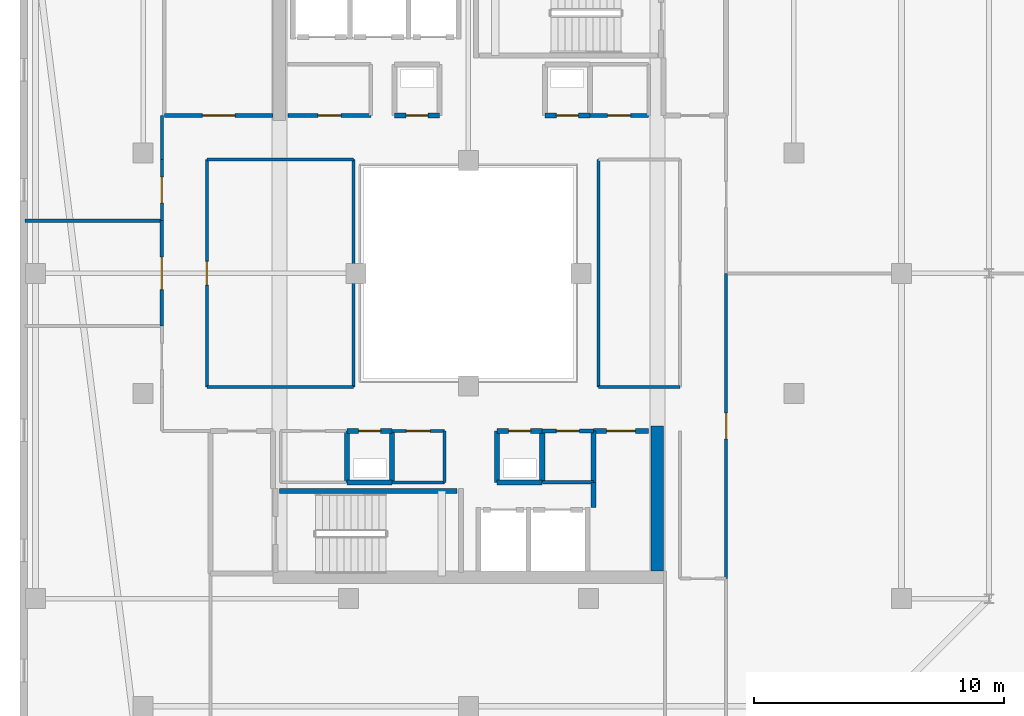
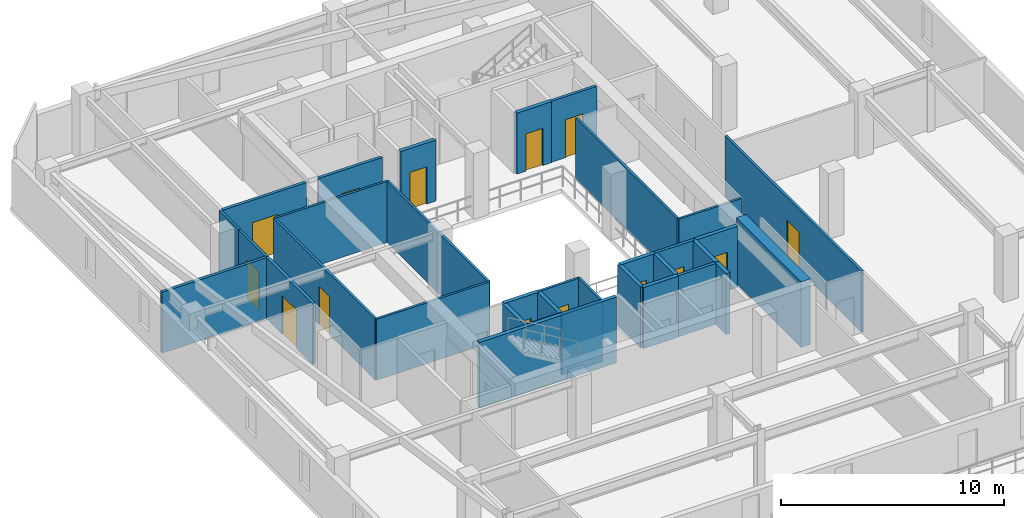
# One storey, part 22 of 34: 34 walls, 14 doors, 14 openings.
"""IFC4 building model written with IfcOpenShell, lengths in metres."""

from ifc_helpers import new_model, si_unit, direction, frame, frame_2d, origin, place, context, subcontext, project, spatial, rectangle, extrude, material, layer, layer_set, type_object, element, fill, save


model = new_model("IFC4")

# Units and contexts
model_context = context("Model", 3, precision=1e-05, world=origin(), true_north=direction((0.0, 1.0)))
body_context = subcontext(model_context, "Body", "Model", "MODEL_VIEW")
ifc_project = project(units=[si_unit("LENGTHUNIT", "METRE"), si_unit("AREAUNIT", "SQUARE_METRE"), si_unit("VOLUMEUNIT", "CUBIC_METRE"), si_unit("PLANEANGLEUNIT", "RADIAN"), si_unit("MASSUNIT", "GRAM", prefix="KILO")], contexts=[model_context])

# Site, building, storey
site_placement = place(None, origin())
site = spatial("IfcSite", under=ifc_project, at=site_placement, CompositionType="ELEMENT")
building_placement = place(site_placement, origin())
building = spatial("IfcBuilding", under=site, at=building_placement, Name="Thornwick Lancets Civic Towers", CompositionType="ELEMENT")
storey_placement = place(building_placement, frame((0.0, 0.0, 261.89990234375)))
storey = spatial("IfcBuildingStorey", under=building, at=storey_placement, Name="L70", CompositionType="ELEMENT", Elevation=261.89990234375)

# Walls
ifc_material_1 = material(Name="Concrete blockwork C40/50", Category="masonry")
ifc_layer_1 = layer(ifc_material_1, 0.199951171875, Name="Concrete blockwork C40/50")
ifc_layer_set_1 = layer_set([ifc_layer_1], Name="Concrete blockwork C40/50")
wall_type_1 = type_object("IfcWallType", Name="WALL_COMP_200", PredefinedType="STANDARD", material=ifc_layer_set_1)
wall_1_placement = place(storey_placement, frame((26.64990234375, 18.64990234375, 0.0), z_axis=(0.0, 0.0, 1.0), x_axis=(1.0, 0.0, 0.0)))
element("IfcWall", 1, at=wall_1_placement, inside=storey, type_object=wall_type_1, Name="L70 Partition L70-A-DUCT1 E1", PredefinedType="STANDARD", context=body_context, shape_type="SweptSolid", body=[
    extrude(rectangle(XDim=1.800048828125, YDim=0.199951171875, at=frame_2d((0.89990234375, 0.0))), origin(), (0.0, 0.0, 1.0), 3.340087890625),
])
wall_2_placement = place(storey_placement, frame((28.449951171875, 18.64990234375, 0.0), z_axis=(0.0, 0.0, 1.0), x_axis=(0.0, 1.0, 0.0)))
element("IfcWall", 2, at=wall_2_placement, inside=storey, type_object=wall_type_1, Name="L70 Partition L70-A-DUCT1 E2", PredefinedType="STANDARD", context=body_context, shape_type="SweptSolid", body=[
    extrude(rectangle(XDim=2.050048828125, YDim=0.199951171875, at=frame_2d((1.02490234375, 0.0))), origin(), (0.0, 0.0, 1.0), 3.340087890625),
])

# Wall, opening, door
wall_3_placement = place(storey_placement, frame((28.449951171875, 20.699951171875, 0.0), z_axis=(0.0, 0.0, 1.0), x_axis=(-1.0, 0.0, 0.0)))
wall_3 = element("IfcWall", 3, at=wall_3_placement, inside=storey, type_object=wall_type_1, Name="L70 Partition L70-A-DUCT1 E3", PredefinedType="STANDARD", context=body_context, shape_type="SweptSolid", body=[
    extrude(rectangle(XDim=1.800048828125, YDim=0.199951171875, at=frame_2d((0.89990234375, 0.0))), origin(), (0.0, 0.0, 1.0), 3.340087890625),
])
opening_1_placement = place(wall_3_placement, frame((0.4599609375, 0.0, 0.0)))
opening_1 = element("IfcOpeningElement", 4, at=opening_1_placement, cuts=wall_3, Name="Opening D-L70-3181", PredefinedType="OPENING", context=body_context, shape_type="SweptSolid", body=[
    extrude(rectangle(XDim=0.8798828125, YDim=2.0400390625, at=frame_2d((0.43994140625, 1.02001953125))), frame((0.0, 0.10986328125, 0.0), z_axis=(0.0, -1.0, 0.0), x_axis=(1.0, 0.0, 0.0)), (0.0, 0.0, 1.0), 0.219970703125),
])
ifc_material_2 = material(Name="Steel riser access doorset", Category="steel")
door_type_1 = type_object("IfcDoorType", Name="DOOR_RISER_850", OperationType="NOTDEFINED", PredefinedType="DOOR", material=ifc_material_2)
door_1_placement = place(opening_1_placement, origin())
door_1 = element("IfcDoor", 5, at=door_1_placement, inside=storey, type_object=door_type_1, Name="L70 South Service Duct 1 Door", OperationType="SINGLE_SWING_RIGHT", OverallHeight=2.0400390625, OverallWidth=0.8798828125, PredefinedType="DOOR", context=body_context, shape_type="SweptSolid", body=[
    extrude(rectangle(XDim=0.8798828125, YDim=2.0400390625, at=frame_2d((0.43994140625, 1.02001953125))), frame((0.0, 0.02490234375, 0.0), z_axis=(0.0, -1.0, 0.0), x_axis=(1.0, 0.0, 0.0)), (0.0, 0.0, 1.0), 0.050048828125),
])
fill(opening_1, door_1)

# Walls
wall_4_placement = place(storey_placement, frame((26.64990234375, 20.699951171875, 0.0), z_axis=(0.0, 0.0, 1.0), x_axis=(0.0, -1.0, 0.0)))
element("IfcWall", 6, at=wall_4_placement, inside=storey, type_object=wall_type_1, Name="L70 Partition L70-A-DUCT1 E4", PredefinedType="STANDARD", context=body_context, shape_type="SweptSolid", body=[
    extrude(rectangle(XDim=2.050048828125, YDim=0.199951171875, at=frame_2d((1.02490234375, 0.0))), origin(), (0.0, 0.0, 1.0), 3.340087890625),
])
wall_5_placement = place(storey_placement, frame((20.64990234375, 18.64990234375, 0.0), z_axis=(0.0, 0.0, 1.0), x_axis=(1.0, 0.0, 0.0)))
element("IfcWall", 7, at=wall_5_placement, inside=storey, type_object=wall_type_1, Name="L70 Partition L70-A-RISER1 E1", PredefinedType="STANDARD", context=body_context, shape_type="SweptSolid", body=[
    extrude(rectangle(XDim=1.800048828125, YDim=0.199951171875, at=frame_2d((0.89990234375, 0.0))), origin(), (0.0, 0.0, 1.0), 3.340087890625),
])
wall_6_placement = place(storey_placement, frame((22.449951171875, 18.64990234375, 0.0), z_axis=(0.0, 0.0, 1.0), x_axis=(0.0, 1.0, 0.0)))
element("IfcWall", 8, at=wall_6_placement, inside=storey, type_object=wall_type_1, Name="L70 Partition L70-A-RISER1 E2", PredefinedType="STANDARD", context=body_context, shape_type="SweptSolid", body=[
    extrude(rectangle(XDim=2.050048828125, YDim=0.199951171875, at=frame_2d((1.02490234375, 0.0))), origin(), (0.0, 0.0, 1.0), 3.340087890625),
])

# Wall, opening, door
wall_7_placement = place(storey_placement, frame((22.449951171875, 20.699951171875, 0.0), z_axis=(0.0, 0.0, 1.0), x_axis=(-1.0, 0.0, 0.0)))
wall_7 = element("IfcWall", 9, at=wall_7_placement, inside=storey, type_object=wall_type_1, Name="L70 Partition L70-A-RISER1 E3", PredefinedType="STANDARD", context=body_context, shape_type="SweptSolid", body=[
    extrude(rectangle(XDim=1.800048828125, YDim=0.199951171875, at=frame_2d((0.89990234375, 0.0))), origin(), (0.0, 0.0, 1.0), 3.340087890625),
])
opening_2_placement = place(wall_7_placement, frame((0.4599609375, 0.0, 0.0)))
opening_2 = element("IfcOpeningElement", 10, at=opening_2_placement, cuts=wall_7, Name="Opening D-L70-3182", PredefinedType="OPENING", context=body_context, shape_type="SweptSolid", body=[
    extrude(rectangle(XDim=0.8798828125, YDim=2.0400390625, at=frame_2d((0.43994140625, 1.02001953125))), frame((0.0, 0.10986328125, 0.0), z_axis=(0.0, -1.0, 0.0), x_axis=(1.0, 0.0, 0.0)), (0.0, 0.0, 1.0), 0.219970703125),
])
door_2_placement = place(opening_2_placement, origin())
door_2 = element("IfcDoor", 11, at=door_2_placement, inside=storey, type_object=door_type_1, Name="L70 South Electrical Riser 1 Door", OperationType="SINGLE_SWING_LEFT", OverallHeight=2.0400390625, OverallWidth=0.8798828125, PredefinedType="DOOR", context=body_context, shape_type="SweptSolid", body=[
    extrude(rectangle(XDim=0.8798828125, YDim=2.0400390625, at=frame_2d((0.43994140625, 1.02001953125))), frame((0.0, 0.02490234375, 0.0), z_axis=(0.0, -1.0, 0.0), x_axis=(1.0, 0.0, 0.0)), (0.0, 0.0, 1.0), 0.050048828125),
])
fill(opening_2, door_2)

# Wall
wall_8_placement = place(storey_placement, frame((20.64990234375, 20.699951171875, 0.0), z_axis=(0.0, 0.0, 1.0), x_axis=(0.0, -1.0, 0.0)))
element("IfcWall", 12, at=wall_8_placement, inside=storey, type_object=wall_type_1, Name="L70 Partition L70-A-RISER1 E4", PredefinedType="STANDARD", context=body_context, shape_type="SweptSolid", body=[
    extrude(rectangle(XDim=2.050048828125, YDim=0.199951171875, at=frame_2d((1.02490234375, 0.0))), origin(), (0.0, 0.0, 1.0), 3.340087890625),
])

# Wall, opening, door
wall_9_placement = place(storey_placement, frame((22.550048828125, 33.300048828125, 0.0), z_axis=(0.0, 0.0, 1.0), x_axis=(1.0, 0.0, 0.0)))
wall_9 = element("IfcWall", 13, at=wall_9_placement, inside=storey, type_object=wall_type_1, Name="L70 Partition L70-A-DUCT2 E1", PredefinedType="STANDARD", context=body_context, shape_type="SweptSolid", body=[
    extrude(rectangle(XDim=1.800048828125, YDim=0.199951171875, at=frame_2d((0.89990234375, 0.0))), origin(), (0.0, 0.0, 1.0), 3.340087890625),
])
opening_3_placement = place(wall_9_placement, frame((0.4599609375, 0.0, 0.0)))
opening_3 = element("IfcOpeningElement", 14, at=opening_3_placement, cuts=wall_9, Name="Opening D-L70-3183", PredefinedType="OPENING", context=body_context, shape_type="SweptSolid", body=[
    extrude(rectangle(XDim=0.8798828125, YDim=2.0400390625, at=frame_2d((0.43994140625, 1.02001953125))), frame((0.0, 0.10986328125, 0.0), z_axis=(0.0, -1.0, 0.0), x_axis=(1.0, 0.0, 0.0)), (0.0, 0.0, 1.0), 0.219970703125),
])
door_3_placement = place(opening_3_placement, origin())
door_3 = element("IfcDoor", 15, at=door_3_placement, inside=storey, type_object=door_type_1, Name="L70 North Service Duct 2 Door", OperationType="SINGLE_SWING_RIGHT", OverallHeight=2.0400390625, OverallWidth=0.8798828125, PredefinedType="DOOR", context=body_context, shape_type="SweptSolid", body=[
    extrude(rectangle(XDim=0.8798828125, YDim=2.0400390625, at=frame_2d((0.43994140625, 1.02001953125))), frame((0.0, 0.02490234375, 0.0), z_axis=(0.0, -1.0, 0.0), x_axis=(1.0, 0.0, 0.0)), (0.0, 0.0, 1.0), 0.050048828125),
])
fill(opening_3, door_3)

wall_10_placement = place(storey_placement, frame((28.550048828125, 33.300048828125, 0.0), z_axis=(0.0, 0.0, 1.0), x_axis=(1.0, 0.0, 0.0)))
wall_10 = element("IfcWall", 16, at=wall_10_placement, inside=storey, type_object=wall_type_1, Name="L70 Partition L70-A-RISER2 E1", PredefinedType="STANDARD", context=body_context, shape_type="SweptSolid", body=[
    extrude(rectangle(XDim=1.800048828125, YDim=0.199951171875, at=frame_2d((0.89990234375, 0.0))), origin(), (0.0, 0.0, 1.0), 3.340087890625),
])
opening_4_placement = place(wall_10_placement, frame((0.4599609375, 0.0, 0.0)))
opening_4 = element("IfcOpeningElement", 17, at=opening_4_placement, cuts=wall_10, Name="Opening D-L70-3184", PredefinedType="OPENING", context=body_context, shape_type="SweptSolid", body=[
    extrude(rectangle(XDim=0.8798828125, YDim=2.0400390625, at=frame_2d((0.43994140625, 1.02001953125))), frame((0.0, 0.10986328125, 0.0), z_axis=(0.0, -1.0, 0.0), x_axis=(1.0, 0.0, 0.0)), (0.0, 0.0, 1.0), 0.219970703125),
])
door_4_placement = place(opening_4_placement, origin())
door_4 = element("IfcDoor", 18, at=door_4_placement, inside=storey, type_object=door_type_1, Name="L70 North Service Riser 2 Door", OperationType="SINGLE_SWING_LEFT", OverallHeight=2.0400390625, OverallWidth=0.8798828125, PredefinedType="DOOR", context=body_context, shape_type="SweptSolid", body=[
    extrude(rectangle(XDim=0.8798828125, YDim=2.0400390625, at=frame_2d((0.43994140625, 1.02001953125))), frame((0.0, 0.02490234375, 0.0), z_axis=(0.0, -1.0, 0.0), x_axis=(1.0, 0.0, 0.0)), (0.0, 0.0, 1.0), 0.050048828125),
])
fill(opening_4, door_4)

# Walls
wall_11_placement = place(storey_placement, frame((30.5, 17.64794921875, 0.0), z_axis=(0.0, 0.0, 1.0), x_axis=(0.0, 1.0, 0.0)))
element("IfcWall", 19, at=wall_11_placement, inside=storey, type_object=wall_type_1, Name="L70 Partition L70-A-STR2 E3", PredefinedType="STANDARD", context=body_context, shape_type="SweptSolid", body=[
    extrude(rectangle(XDim=1.001953125, YDim=0.199951171875, at=frame_2d((0.5009765625, 0.0))), origin(), (0.0, 0.0, 1.0), 3.340087890625),
])
wall_12_placement = place(storey_placement, frame((30.5, 18.64990234375, 0.0), z_axis=(0.0, 0.0, 1.0), x_axis=(0.0, 1.0, 0.0)))
element("IfcWall", 20, at=wall_12_placement, inside=storey, type_object=wall_type_1, Name="L70 Partition L70-A-STR2 E4", PredefinedType="STANDARD", context=body_context, shape_type="SweptSolid", body=[
    extrude(rectangle(XDim=2.050048828125, YDim=0.199951171875, at=frame_2d((1.02490234375, 0.0))), origin(), (0.0, 0.0, 1.0), 3.340087890625),
])

# Wall, opening, door
wall_13_placement = place(storey_placement, frame((30.5, 20.699951171875, 0.0), z_axis=(0.0, 0.0, 1.0), x_axis=(1.0, 0.0, 0.0)))
wall_13 = element("IfcWall", 21, at=wall_13_placement, inside=storey, type_object=wall_type_1, Name="L70 Partition L70-A-STR2 E5", PredefinedType="STANDARD", context=body_context, shape_type="SweptSolid", body=[
    extrude(rectangle(XDim=2.199951171875, YDim=0.199951171875, at=frame_2d((1.10009765625, 0.0))), origin(), (0.0, 0.0, 1.0), 3.340087890625),
])
opening_5_placement = place(wall_13_placement, frame((0.52490234375, 0.0, 0.0)))
opening_5 = element("IfcOpeningElement", 22, at=opening_5_placement, cuts=wall_13, Name="Opening D-L70-3188", PredefinedType="OPENING", context=body_context, shape_type="SweptSolid", body=[
    extrude(rectangle(XDim=1.14990234375, YDim=2.10009765625, at=frame_2d((0.574951171875, 1.050048828125))), frame((0.0, 0.10986328125, 0.0), z_axis=(0.0, -1.0, 0.0), x_axis=(1.0, 0.0, 0.0)), (0.0, 0.0, 1.0), 0.219970703125),
])
ifc_material_3 = material(Name="Glazed fire-resisting steel", Category="steel")
door_type_2 = type_object("IfcDoorType", Name="DOOR_LOBBY_FD60", OperationType="NOTDEFINED", PredefinedType="DOOR", material=ifc_material_3)
door_5_placement = place(opening_5_placement, origin())
door_5 = element("IfcDoor", 23, at=door_5_placement, inside=storey, type_object=door_type_2, Name="L70 Tower A Core Supplies Store Door", OperationType="SINGLE_SWING_LEFT", OverallHeight=2.10009765625, OverallWidth=1.14990234375, PredefinedType="DOOR", context=body_context, shape_type="SweptSolid", body=[
    extrude(rectangle(XDim=1.14990234375, YDim=2.10009765625, at=frame_2d((0.574951171875, 1.050048828125))), frame((0.0, 0.02490234375, 0.0), z_axis=(0.0, -1.0, 0.0), x_axis=(1.0, 0.0, 0.0)), (0.0, 0.0, 1.0), 0.050048828125),
])
fill(opening_5, door_5)

# Walls
ifc_material_4 = material(Name="Concrete C50/60", Category="concrete")
ifc_layer_2 = layer(ifc_material_4, 0.5, Name="Concrete C50/60")
ifc_layer_set_2 = layer_set([ifc_layer_2], Name="Concrete C50/60")
wall_type_2 = type_object("IfcWallType", Name="WALL_CORE_500", PredefinedType="SHEAR", material=ifc_layer_set_2)
wall_14_placement = place(storey_placement, frame((33.050048828125, 15.10009765625, 0.0), z_axis=(0.0, 0.0, 1.0), x_axis=(0.0, 1.0, 0.0)))
element("IfcWall", 24, at=wall_14_placement, inside=storey, type_object=wall_type_2, Name="L70 Split Core A1 Shear Wall E", PredefinedType="SHEAR", context=body_context, shape_type="SweptSolid", body=[
    extrude(rectangle(XDim=5.7998046875, YDim=0.5, at=frame_2d((2.89990234375, 0.0))), origin(), (0.0, 0.0, 1.0), 3.60009765625),
])
ifc_material_5 = material(Name="Acoustic gypsum board partition")
ifc_layer_3 = layer(ifc_material_5, 0.1201171875, Name="Acoustic gypsum board partition")
ifc_layer_set_3 = layer_set([ifc_layer_3], Name="Acoustic gypsum board partition")
wall_type_3 = type_object("IfcWallType", Name="WALL_PART_120", PredefinedType="PARTITIONING", material=ifc_layer_set_3)
wall_15_placement = place(storey_placement, frame((24.550048828125, 20.699951171875, 0.0), z_axis=(0.0, 0.0, 1.0), x_axis=(0.0, -1.0, 0.0)))
element("IfcWall", 25, at=wall_15_placement, inside=storey, type_object=wall_type_3, Name="L70 Partition L70-A-ITR E1", PredefinedType="PARTITIONING", context=body_context, shape_type="SweptSolid", body=[
    extrude(rectangle(XDim=2.050048828125, YDim=0.1201171875, at=frame_2d((1.02490234375, 0.0))), origin(), (0.0, 0.0, 1.0), 3.340087890625),
])
wall_16_placement = place(storey_placement, frame((24.550048828125, 18.64990234375, 0.0), z_axis=(0.0, 0.0, 1.0), x_axis=(-1.0, 0.0, 0.0)))
element("IfcWall", 26, at=wall_16_placement, inside=storey, type_object=wall_type_3, Name="L70 Partition L70-A-ITR E2", PredefinedType="PARTITIONING", context=body_context, shape_type="SweptSolid", body=[
    extrude(rectangle(XDim=2.10009765625, YDim=0.1201171875, at=frame_2d((1.050048828125, 0.0))), origin(), (0.0, 0.0, 1.0), 3.340087890625),
])

# Wall, opening, door
wall_17_placement = place(storey_placement, frame((22.449951171875, 20.699951171875, 0.0), z_axis=(0.0, 0.0, 1.0), x_axis=(1.0, 0.0, 0.0)))
wall_17 = element("IfcWall", 27, at=wall_17_placement, inside=storey, type_object=wall_type_3, Name="L70 Partition L70-A-ITR E4", PredefinedType="PARTITIONING", context=body_context, shape_type="SweptSolid", body=[
    extrude(rectangle(XDim=2.10009765625, YDim=0.1201171875, at=frame_2d((1.050048828125, 0.0))), origin(), (0.0, 0.0, 1.0), 3.340087890625),
])
opening_6_placement = place(wall_17_placement, frame((0.574951171875, 0.0, 0.0)))
opening_6 = element("IfcOpeningElement", 28, at=opening_6_placement, cuts=wall_17, Name="Opening D-L70-3186", PredefinedType="OPENING", context=body_context, shape_type="SweptSolid", body=[
    extrude(rectangle(XDim=0.949951171875, YDim=2.10009765625, at=frame_2d((0.47509765625, 1.050048828125))), frame((0.0, 0.070068359375, 0.0), z_axis=(0.0, -1.0, 0.0), x_axis=(1.0, 0.0, 0.0)), (0.0, 0.0, 1.0), 0.14013671875),
])
ifc_material_6 = material(Name="European oak acoustic doorset")
door_type_3 = type_object("IfcDoorType", Name="DOOR_OFFICE_950", OperationType="NOTDEFINED", PredefinedType="DOOR", material=ifc_material_6)
door_6_placement = place(opening_6_placement, origin())
door_6 = element("IfcDoor", 29, at=door_6_placement, inside=storey, type_object=door_type_3, Name="L70 Tower A Comms Patch Room Door", OperationType="SINGLE_SWING_LEFT", OverallHeight=2.10009765625, OverallWidth=0.949951171875, PredefinedType="DOOR", context=body_context, shape_type="SweptSolid", body=[
    extrude(rectangle(XDim=0.949951171875, YDim=2.10009765625, at=frame_2d((0.47509765625, 1.050048828125))), frame((0.0, 0.02490234375, 0.0), z_axis=(0.0, -1.0, 0.0), x_axis=(1.0, 0.0, 0.0)), (0.0, 0.0, 1.0), 0.050048828125),
])
fill(opening_6, door_6)

# Wall
wall_18_placement = place(storey_placement, frame((13.25, 33.300048828125, 0.0), z_axis=(0.0, 0.0, 1.0), x_axis=(0.0, -1.0, 0.0)))
element("IfcWall", 30, at=wall_18_placement, inside=storey, type_object=wall_type_3, Name="L70 Partition L70-A-W2B E5", PredefinedType="PARTITIONING", context=body_context, shape_type="SweptSolid", body=[
    extrude(rectangle(XDim=1.75, YDim=0.1201171875, at=frame_2d((0.875, 0.0))), origin(), (0.0, 0.0, 1.0), 3.340087890625),
])

# Wall, opening, door
wall_19_placement = place(storey_placement, frame((13.25, 31.550048828125, 0.0), z_axis=(0.0, 0.0, 1.0), x_axis=(0.0, -1.0, 0.0)))
wall_19 = element("IfcWall", 31, at=wall_19_placement, inside=storey, type_object=wall_type_3, Name="L70 Partition L70-A-W2B E6", PredefinedType="PARTITIONING", context=body_context, shape_type="SweptSolid", body=[
    extrude(rectangle(XDim=2.449951171875, YDim=0.1201171875, at=frame_2d((1.22509765625, 0.0))), origin(), (0.0, 0.0, 1.0), 3.340087890625),
])
opening_7_placement = place(wall_19_placement, frame((0.699951171875, 0.0, 0.0)))
opening_7 = element("IfcOpeningElement", 32, at=opening_7_placement, cuts=wall_19, Name="Opening D-L70-3207", PredefinedType="OPENING", context=body_context, shape_type="SweptSolid", body=[
    extrude(rectangle(XDim=1.050048828125, YDim=2.10009765625, at=frame_2d((0.52490234375, 1.050048828125))), frame((0.0, 0.070068359375, 0.0), z_axis=(0.0, -1.0, 0.0), x_axis=(1.0, 0.0, 0.0)), (0.0, 0.0, 1.0), 0.14013671875),
])
ifc_material_7 = material(Name="Glazed European oak executive doorset")
door_type_4 = type_object("IfcDoorType", Name="DOOR_OFFICE_1050", OperationType="NOTDEFINED", PredefinedType="DOOR", material=ifc_material_7)
door_7_placement = place(opening_7_placement, origin())
door_7 = element("IfcDoor", 33, at=door_7_placement, inside=storey, type_object=door_type_4, Name="L70 Tower A Parliamentary Casework Suite W2B Door", OperationType="SINGLE_SWING_RIGHT", OverallHeight=2.10009765625, OverallWidth=1.050048828125, PredefinedType="DOOR", context=body_context, shape_type="SweptSolid", body=[
    extrude(rectangle(XDim=1.050048828125, YDim=2.10009765625, at=frame_2d((0.52490234375, 1.050048828125))), frame((0.0, 0.02490234375, 0.0), z_axis=(0.0, -1.0, 0.0), x_axis=(1.0, 0.0, 0.0)), (0.0, 0.0, 1.0), 0.050048828125),
])
fill(opening_7, door_7)

wall_20_placement = place(storey_placement, frame((15.050048828125, 22.449951171875, 0.0), z_axis=(0.0, 0.0, 1.0), x_axis=(0.0, 1.0, 0.0)))
wall_20 = element("IfcWall", 34, at=wall_20_placement, inside=storey, type_object=wall_type_3, Name="L70 Partition L70-A-W3 E1", PredefinedType="PARTITIONING", context=body_context, shape_type="SweptSolid", body=[
    extrude(rectangle(XDim=9.10009765625, YDim=0.1201171875, at=frame_2d((4.550048828125, 0.0))), origin(), (0.0, 0.0, 1.0), 3.340087890625),
])
opening_8_placement = place(wall_20_placement, frame((4.074951171875, 0.0, 0.0)))
opening_8 = element("IfcOpeningElement", 35, at=opening_8_placement, cuts=wall_20, Name="Opening D-L70-3208", PredefinedType="OPENING", context=body_context, shape_type="SweptSolid", body=[
    extrude(rectangle(XDim=0.949951171875, YDim=2.10009765625, at=frame_2d((0.47509765625, 1.050048828125))), frame((0.0, 0.070068359375, 0.0), z_axis=(0.0, -1.0, 0.0), x_axis=(1.0, 0.0, 0.0)), (0.0, 0.0, 1.0), 0.14013671875),
])
door_8_placement = place(opening_8_placement, origin())
door_8 = element("IfcDoor", 36, at=door_8_placement, inside=storey, type_object=door_type_3, Name="L70 Tower A West Atrium Gallery Suite Door", OperationType="SINGLE_SWING_LEFT", OverallHeight=2.10009765625, OverallWidth=0.949951171875, PredefinedType="DOOR", context=body_context, shape_type="SweptSolid", body=[
    extrude(rectangle(XDim=0.949951171875, YDim=2.10009765625, at=frame_2d((0.47509765625, 1.050048828125))), frame((0.0, 0.02490234375, 0.0), z_axis=(0.0, -1.0, 0.0), x_axis=(1.0, 0.0, 0.0)), (0.0, 0.0, 1.0), 0.050048828125),
])
fill(opening_8, door_8)

# Walls
wall_21_placement = place(storey_placement, frame((15.050048828125, 31.550048828125, 0.0), z_axis=(0.0, 0.0, 1.0), x_axis=(1.0, 0.0, 0.0)))
element("IfcWall", 37, at=wall_21_placement, inside=storey, type_object=wall_type_3, Name="L70 Partition L70-A-W3 E2", PredefinedType="PARTITIONING", context=body_context, shape_type="SweptSolid", body=[
    extrude(rectangle(XDim=5.849853515625, YDim=0.1201171875, at=frame_2d((2.9248046875, 0.0))), origin(), (0.0, 0.0, 1.0), 3.340087890625),
])
wall_22_placement = place(storey_placement, frame((20.89990234375, 31.550048828125, 0.0), z_axis=(0.0, 0.0, 1.0), x_axis=(0.0, -1.0, 0.0)))
element("IfcWall", 38, at=wall_22_placement, inside=storey, type_object=wall_type_3, Name="L70 Partition L70-A-W3 E3", PredefinedType="PARTITIONING", context=body_context, shape_type="SweptSolid", body=[
    extrude(rectangle(XDim=9.10009765625, YDim=0.1201171875, at=frame_2d((4.550048828125, 0.0))), origin(), (0.0, 0.0, 1.0), 3.340087890625),
])
wall_23_placement = place(storey_placement, frame((20.89990234375, 22.449951171875, 0.0), z_axis=(0.0, 0.0, 1.0), x_axis=(-1.0, 0.0, 0.0)))
element("IfcWall", 39, at=wall_23_placement, inside=storey, type_object=wall_type_3, Name="L70 Partition L70-A-W3 E4", PredefinedType="PARTITIONING", context=body_context, shape_type="SweptSolid", body=[
    extrude(rectangle(XDim=5.849853515625, YDim=0.1201171875, at=frame_2d((2.9248046875, 0.0))), origin(), (0.0, 0.0, 1.0), 3.340087890625),
])

# Wall, opening, door
wall_24_placement = place(storey_placement, frame((35.800048828125, 14.800048828125, 0.0), z_axis=(0.0, 0.0, 1.0), x_axis=(0.0, 1.0, 0.0)))
wall_24 = element("IfcWall", 40, at=wall_24_placement, inside=storey, type_object=wall_type_3, Name="L70 Partition L70-A-E1 E3", PredefinedType="PARTITIONING", context=body_context, shape_type="SweptSolid", body=[
    extrude(rectangle(XDim=12.199951171875, YDim=0.1201171875, at=frame_2d((6.10009765625, 0.0))), origin(), (0.0, 0.0, 1.0), 3.340087890625),
])
opening_9_placement = place(wall_24_placement, frame((5.574951171875, 0.0, 0.0)))
opening_9 = element("IfcOpeningElement", 41, at=opening_9_placement, cuts=wall_24, Name="Opening D-L70-3209", PredefinedType="OPENING", context=body_context, shape_type="SweptSolid", body=[
    extrude(rectangle(XDim=1.050048828125, YDim=2.10009765625, at=frame_2d((0.52490234375, 1.050048828125))), frame((0.0, 0.070068359375, 0.0), z_axis=(0.0, -1.0, 0.0), x_axis=(1.0, 0.0, 0.0)), (0.0, 0.0, 1.0), 0.14013671875),
])
door_9_placement = place(opening_9_placement, origin())
door_9 = element("IfcDoor", 42, at=door_9_placement, inside=storey, type_object=door_type_4, Name="L70 Tower A Secretariat Open Office E1 Door", OperationType="SINGLE_SWING_RIGHT", OverallHeight=2.10009765625, OverallWidth=1.050048828125, PredefinedType="DOOR", context=body_context, shape_type="SweptSolid", body=[
    extrude(rectangle(XDim=1.050048828125, YDim=2.10009765625, at=frame_2d((0.52490234375, 1.050048828125))), frame((0.0, 0.02490234375, 0.0), z_axis=(0.0, -1.0, 0.0), x_axis=(1.0, 0.0, 0.0)), (0.0, 0.0, 1.0), 0.050048828125),
])
fill(opening_9, door_9)

# Walls
wall_25_placement = place(storey_placement, frame((30.699951171875, 22.449951171875, 0.0), z_axis=(0.0, 0.0, 1.0), x_axis=(0.0, 1.0, 0.0)))
element("IfcWall", 43, at=wall_25_placement, inside=storey, type_object=wall_type_3, Name="L70 Partition L70-A-E-ATRIUM-OFF E1", PredefinedType="PARTITIONING", context=body_context, shape_type="SweptSolid", body=[
    extrude(rectangle(XDim=9.10009765625, YDim=0.1201171875, at=frame_2d((4.550048828125, 0.0))), origin(), (0.0, 0.0, 1.0), 3.340087890625),
])
wall_26_placement = place(storey_placement, frame((33.949951171875, 22.449951171875, 0.0), z_axis=(0.0, 0.0, 1.0), x_axis=(-1.0, 0.0, 0.0)))
element("IfcWall", 44, at=wall_26_placement, inside=storey, type_object=wall_type_3, Name="L70 Partition L70-A-E-ATRIUM-OFF E4", PredefinedType="PARTITIONING", context=body_context, shape_type="SweptSolid", body=[
    extrude(rectangle(XDim=3.25, YDim=0.1201171875, at=frame_2d((1.625, 0.0))), origin(), (0.0, 0.0, 1.0), 3.340087890625),
])
ifc_material_8 = material(Name="Twin-stud acoustic gypsum board")
ifc_layer_4 = layer(ifc_material_8, 0.14990234375, Name="Twin-stud acoustic gypsum board")
ifc_layer_set_4 = layer_set([ifc_layer_4], Name="Twin-stud acoustic gypsum board")
wall_type_4 = type_object("IfcWallType", Name="WALL_PART_150", PredefinedType="PARTITIONING", material=ifc_layer_set_4)
wall_27_placement = place(storey_placement, frame((30.5, 18.64990234375, 0.0), z_axis=(0.0, 0.0, 1.0), x_axis=(-1.0, 0.0, 0.0)))
element("IfcWall", 45, at=wall_27_placement, inside=storey, type_object=wall_type_4, Name="L70 Partition L70-A-AWC E2", PredefinedType="PARTITIONING", context=body_context, shape_type="SweptSolid", body=[
    extrude(rectangle(XDim=2.050048828125, YDim=0.14990234375, at=frame_2d((1.02490234375, 0.0))), origin(), (0.0, 0.0, 1.0), 3.340087890625),
])

# Wall, opening, door
wall_28_placement = place(storey_placement, frame((28.449951171875, 20.699951171875, 0.0), z_axis=(0.0, 0.0, 1.0), x_axis=(1.0, 0.0, 0.0)))
wall_28 = element("IfcWall", 46, at=wall_28_placement, inside=storey, type_object=wall_type_4, Name="L70 Partition L70-A-AWC E4", PredefinedType="PARTITIONING", context=body_context, shape_type="SweptSolid", body=[
    extrude(rectangle(XDim=2.050048828125, YDim=0.14990234375, at=frame_2d((1.02490234375, 0.0))), origin(), (0.0, 0.0, 1.0), 3.340087890625),
])
opening_10_placement = place(wall_28_placement, frame((0.56494140625, 0.0, 0.0)))
opening_10 = element("IfcOpeningElement", 47, at=opening_10_placement, cuts=wall_28, Name="Opening D-L70-3187", PredefinedType="OPENING", context=body_context, shape_type="SweptSolid", body=[
    extrude(rectangle(XDim=0.919921875, YDim=2.080078125, at=frame_2d((0.4599609375, 1.0400390625))), frame((0.0, 0.0849609375, 0.0), z_axis=(0.0, -1.0, 0.0), x_axis=(1.0, 0.0, 0.0)), (0.0, 0.0, 1.0), 0.169921875),
])
ifc_material_9 = material(Name="Moisture-resistant oak doorset")
door_type_5 = type_object("IfcDoorType", Name="DOOR_WC_900", OperationType="NOTDEFINED", PredefinedType="DOOR", material=ifc_material_9)
door_10_placement = place(opening_10_placement, origin())
door_10 = element("IfcDoor", 48, at=door_10_placement, inside=storey, type_object=door_type_5, Name="L70 Tower A Accessible WC Door", OperationType="SINGLE_SWING_RIGHT", OverallHeight=2.080078125, OverallWidth=0.919921875, PredefinedType="DOOR", context=body_context, shape_type="SweptSolid", body=[
    extrude(rectangle(XDim=0.919921875, YDim=2.080078125, at=frame_2d((0.4599609375, 1.0400390625))), frame((0.0, 0.02490234375, 0.0), z_axis=(0.0, -1.0, 0.0), x_axis=(1.0, 0.0, 0.0)), (0.0, 0.0, 1.0), 0.050048828125),
])
fill(opening_10, door_10)

wall_29_placement = place(storey_placement, frame((18.300048828125, 33.300048828125, 0.0), z_axis=(0.0, 0.0, 1.0), x_axis=(1.0, 0.0, 0.0)))
wall_29 = element("IfcWall", 49, at=wall_29_placement, inside=storey, type_object=wall_type_4, Name="L70 Partition L70-A-MWC E1", PredefinedType="PARTITIONING", context=body_context, shape_type="SweptSolid", body=[
    extrude(rectangle(XDim=3.300048828125, YDim=0.14990234375, at=frame_2d((1.64990234375, 0.0))), origin(), (0.0, 0.0, 1.0), 3.340087890625),
])
opening_11_placement = place(wall_29_placement, frame((1.18994140625, 0.0, 0.0)))
opening_11 = element("IfcOpeningElement", 50, at=opening_11_placement, cuts=wall_29, Name="Opening D-L70-3189", PredefinedType="OPENING", context=body_context, shape_type="SweptSolid", body=[
    extrude(rectangle(XDim=0.919921875, YDim=2.080078125, at=frame_2d((0.4599609375, 1.0400390625))), frame((0.0, 0.0849609375, 0.0), z_axis=(0.0, -1.0, 0.0), x_axis=(1.0, 0.0, 0.0)), (0.0, 0.0, 1.0), 0.169921875),
])
door_11_placement = place(opening_11_placement, origin())
door_11 = element("IfcDoor", 51, at=door_11_placement, inside=storey, type_object=door_type_5, Name="L70 Tower A Male WC Door", OperationType="SINGLE_SWING_RIGHT", OverallHeight=2.080078125, OverallWidth=0.919921875, PredefinedType="DOOR", context=body_context, shape_type="SweptSolid", body=[
    extrude(rectangle(XDim=0.919921875, YDim=2.080078125, at=frame_2d((0.4599609375, 1.0400390625))), frame((0.0, 0.02490234375, 0.0), z_axis=(0.0, -1.0, 0.0), x_axis=(1.0, 0.0, 0.0)), (0.0, 0.0, 1.0), 0.050048828125),
])
fill(opening_11, door_11)

wall_30_placement = place(storey_placement, frame((32.699951171875, 33.300048828125, 0.0), z_axis=(0.0, 0.0, 1.0), x_axis=(-1.0, 0.0, 0.0)))
wall_30 = element("IfcWall", 52, at=wall_30_placement, inside=storey, type_object=wall_type_4, Name="L70 Partition L70-A-FWC E2", PredefinedType="PARTITIONING", context=body_context, shape_type="SweptSolid", body=[
    extrude(rectangle(XDim=2.349853515625, YDim=0.14990234375, at=frame_2d((1.1748046875, 0.0))), origin(), (0.0, 0.0, 1.0), 3.340087890625),
])
opening_12_placement = place(wall_30_placement, frame((0.715087890625, 0.0, 0.0)))
opening_12 = element("IfcOpeningElement", 53, at=opening_12_placement, cuts=wall_30, Name="Opening D-L70-3190", PredefinedType="OPENING", context=body_context, shape_type="SweptSolid", body=[
    extrude(rectangle(XDim=0.919921875, YDim=2.080078125, at=frame_2d((0.4599609375, 1.0400390625))), frame((0.0, 0.0849609375, 0.0), z_axis=(0.0, -1.0, 0.0), x_axis=(1.0, 0.0, 0.0)), (0.0, 0.0, 1.0), 0.169921875),
])
door_12_placement = place(opening_12_placement, origin())
door_12 = element("IfcDoor", 54, at=door_12_placement, inside=storey, type_object=door_type_5, Name="L70 Tower A Female WC Door", OperationType="SINGLE_SWING_LEFT", OverallHeight=2.080078125, OverallWidth=0.919921875, PredefinedType="DOOR", context=body_context, shape_type="SweptSolid", body=[
    extrude(rectangle(XDim=0.919921875, YDim=2.080078125, at=frame_2d((0.4599609375, 1.0400390625))), frame((0.0, 0.02490234375, 0.0), z_axis=(0.0, -1.0, 0.0), x_axis=(1.0, 0.0, 0.0)), (0.0, 0.0, 1.0), 0.050048828125),
])
fill(opening_12, door_12)

wall_31_placement = place(storey_placement, frame((17.699951171875, 33.300048828125, 0.0), z_axis=(0.0, 0.0, 1.0), x_axis=(-1.0, 0.0, 0.0)))
wall_31 = element("IfcWall", 55, at=wall_31_placement, inside=storey, type_object=wall_type_4, Name="L70 Partition L70-A-RECLAIM-M1 E4", PredefinedType="PARTITIONING", context=body_context, shape_type="SweptSolid", body=[
    extrude(rectangle(XDim=4.349853515625, YDim=0.14990234375, at=frame_2d((2.1748046875, 0.0))), origin(), (0.0, 0.0, 1.0), 3.340087890625),
])
opening_13_placement = place(wall_31_placement, frame((1.52490234375, 0.0, 0.0)))
opening_13 = element("IfcOpeningElement", 56, at=opening_13_placement, cuts=wall_31, Name="Opening D-L70-3204", PredefinedType="OPENING", context=body_context, shape_type="SweptSolid", body=[
    extrude(rectangle(XDim=1.300048828125, YDim=2.1201171875, at=frame_2d((0.64990234375, 1.06005859375))), frame((0.0, 0.0849609375, 0.0), z_axis=(0.0, -1.0, 0.0), x_axis=(1.0, 0.0, 0.0)), (0.0, 0.0, 1.0), 0.169921875),
])
ifc_material_10 = material(Name="Acoustic oak leaf-and-a-half doorset")
door_type_6 = type_object("IfcDoorType", Name="DOOR_MEET_1300", OperationType="DOUBLE_DOOR_SINGLE_SWING", PredefinedType="DOOR", material=ifc_material_10)
door_13_placement = place(opening_13_placement, origin())
door_13 = element("IfcDoor", 57, at=door_13_placement, inside=storey, type_object=door_type_6, Name="L70 Tower A Diplomatic Conference Suite Door", OperationType="DOUBLE_DOOR_SINGLE_SWING", OverallHeight=2.1201171875, OverallWidth=1.300048828125, PredefinedType="DOOR", context=body_context, shape_type="SweptSolid", body=[
    extrude(rectangle(XDim=1.300048828125, YDim=2.1201171875, at=frame_2d((0.64990234375, 1.06005859375))), frame((0.0, 0.02490234375, 0.0), z_axis=(0.0, -1.0, 0.0), x_axis=(1.0, 0.0, 0.0)), (0.0, 0.0, 1.0), 0.050048828125),
])
fill(opening_13, door_13)

wall_32_placement = place(storey_placement, frame((13.25, 29.10009765625, 0.0), z_axis=(0.0, 0.0, 1.0), x_axis=(0.0, -1.0, 0.0)))
wall_32 = element("IfcWall", 58, at=wall_32_placement, inside=storey, type_object=wall_type_4, Name="L70 Partition L70-A-W2 E1", PredefinedType="PARTITIONING", context=body_context, shape_type="SweptSolid", body=[
    extrude(rectangle(XDim=4.2001953125, YDim=0.14990234375, at=frame_2d((2.10009765625, 0.0))), origin(), (0.0, 0.0, 1.0), 3.340087890625),
])
opening_14_placement = place(wall_32_placement, frame((1.449951171875, 0.0, 0.0)))
opening_14 = element("IfcOpeningElement", 59, at=opening_14_placement, cuts=wall_32, Name="Opening D-L70-3206", PredefinedType="OPENING", context=body_context, shape_type="SweptSolid", body=[
    extrude(rectangle(XDim=1.300048828125, YDim=2.1201171875, at=frame_2d((0.64990234375, 1.06005859375))), frame((0.0, 0.0849609375, 0.0), z_axis=(0.0, -1.0, 0.0), x_axis=(1.0, 0.0, 0.0)), (0.0, 0.0, 1.0), 0.169921875),
])
door_14_placement = place(opening_14_placement, origin())
door_14 = element("IfcDoor", 60, at=door_14_placement, inside=storey, type_object=door_type_6, Name="L70 Tower A Policy Briefing Room W2 Door", OperationType="DOUBLE_DOOR_SINGLE_SWING", OverallHeight=2.1201171875, OverallWidth=1.300048828125, PredefinedType="DOOR", context=body_context, shape_type="SweptSolid", body=[
    extrude(rectangle(XDim=1.300048828125, YDim=2.1201171875, at=frame_2d((0.64990234375, 1.06005859375))), frame((0.0, 0.02490234375, 0.0), z_axis=(0.0, -1.0, 0.0), x_axis=(1.0, 0.0, 0.0)), (0.0, 0.0, 1.0), 0.050048828125),
])
fill(opening_14, door_14)

# Walls
wall_33_placement = place(storey_placement, frame((7.780029296875, 29.10009765625, 0.0), z_axis=(0.0, 0.0, 1.0), x_axis=(1.0, 0.0, 0.0)))
element("IfcWall", 61, at=wall_33_placement, inside=storey, type_object=wall_type_4, Name="L70 Partition L70-A-W2 E4", PredefinedType="PARTITIONING", context=body_context, shape_type="SweptSolid", body=[
    extrude(rectangle(XDim=5.469970703125, YDim=0.14990234375, at=frame_2d((2.73486328125, 0.0))), origin(), (0.0, 0.0, 1.0), 3.340087890625),
])
ifc_material_11 = material(Name="Concrete C40/50", Category="concrete")
ifc_layer_5 = layer(ifc_material_11, 0.199951171875, Name="Concrete C40/50")
ifc_layer_set_5 = layer_set([ifc_layer_5], Name="Concrete C40/50")
wall_type_5 = type_object("IfcWallType", Name="WALL_SHAFT_200", PredefinedType="SHEAR", material=ifc_layer_set_5)
wall_34_placement = place(storey_placement, frame((25.050048828125, 18.297119140625, 0.0), z_axis=(0.0, 0.0, 1.0), x_axis=(-1.0, 0.0, 0.0)))
element("IfcWall", 62, at=wall_34_placement, inside=storey, type_object=wall_type_5, Name="L70 ST-A1 Fire Stair Core Wall RIGHT", PredefinedType="SHEAR", context=body_context, shape_type="SweptSolid", body=[
    extrude(rectangle(XDim=7.10009765625, YDim=0.199951171875, at=frame_2d((3.550048828125, 0.0))), origin(), (0.0, 0.0, 1.0), 3.60009765625),
])

save(model, "model.ifc")
